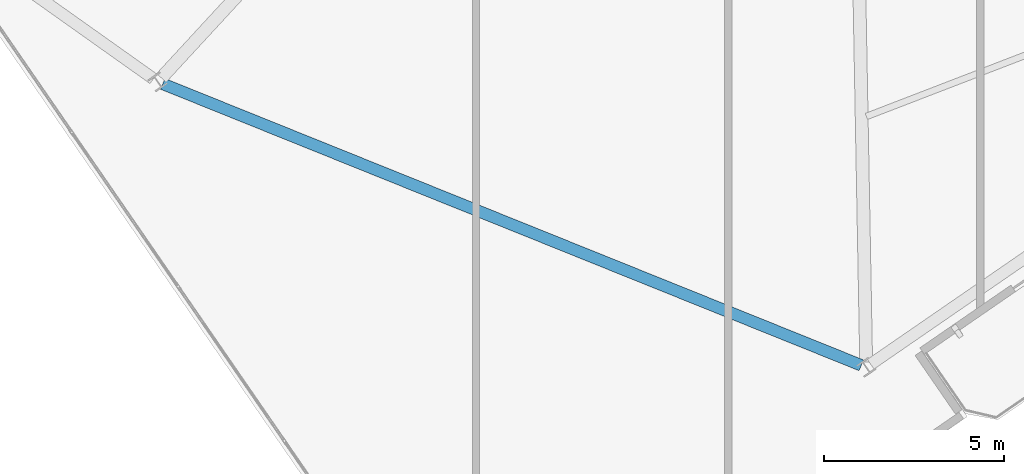
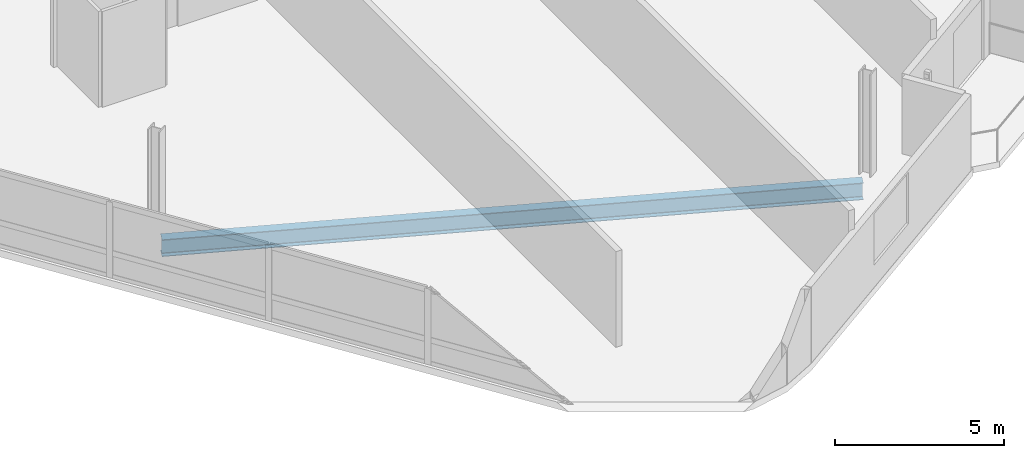
# One storey, part 4 of 22: 1 beam.
"""IFC4 building model written with IfcOpenShell, lengths in metres."""

from ifc_helpers import new_model, si_unit, direction, frame, origin, origin_2d, place, context, subcontext, project, spatial, i_section, extrude, material, material_profile, profile_set, type_object, element, save


model = new_model("IFC4")

# Units and contexts
model_context = context("Model", 3, precision=1e-05, world=origin(), true_north=direction((0.0, 1.0)))
body_context = subcontext(model_context, "Body", "Model", "MODEL_VIEW")
ifc_project = project(units=[si_unit("LENGTHUNIT", "METRE"), si_unit("AREAUNIT", "SQUARE_METRE"), si_unit("VOLUMEUNIT", "CUBIC_METRE"), si_unit("PLANEANGLEUNIT", "RADIAN"), si_unit("MASSUNIT", "GRAM", prefix="KILO")], contexts=[model_context])

# Site, building, storey
site_placement = place(None, origin())
site = spatial("IfcSite", under=ifc_project, at=site_placement, CompositionType="ELEMENT")
building_placement = place(site_placement, origin())
building = spatial("IfcBuilding", under=site, at=building_placement, Name="Varnelok Gate Tower", CompositionType="ELEMENT")
storey_placement = place(building_placement, frame((0.0, 0.0, 284.10009765625)))
storey = spatial("IfcBuildingStorey", under=building, at=storey_placement, Name="L73", CompositionType="ELEMENT", Elevation=284.10009765625)

# Beam
ifc_material = material(Name="Structural Steel ASTM A992 Grade 50", Category="steel")
ifc_material_profile = material_profile(ifc_material, i_section(OverallWidth=0.323974609375, OverallDepth=0.611083984375, WebThickness=0.0126953125, FlangeThickness=0.01904296875, FilletRadius=0.01806640625, at=origin_2d()), Name="W24X104")
ifc_profile_set = profile_set([ifc_material_profile], Name="Structural Steel ASTM A992 Grade 50")
beam_type = type_object("IfcBeamType", Name="BM-SPN-W24X104", PredefinedType="SPANDREL", material=ifc_profile_set)
beam_placement = place(storey_placement, frame((14.581787109375, 7.94775390625, -0.5556640625), z_axis=(0.927546574087, -0.373707576722, 0.0), x_axis=(0.373707576722, 0.927546574087, 0.0)))
element("IfcBeam", 1, at=beam_placement, inside=storey, type_object=beam_type, Name="L73 Perimeter Spandrel Beam 16", PredefinedType="SPANDREL", context=body_context, shape_type="SweptSolid", body=[
    extrude(i_section(OverallWidth=0.323974609375, OverallDepth=0.611083984375, WebThickness=0.0126953125, FlangeThickness=0.01904296875, FilletRadius=0.01806640625, at=origin_2d()), origin(), (0.0, 0.0, 1.0), 20.90087890625),
])

save(model, "model.ifc")
